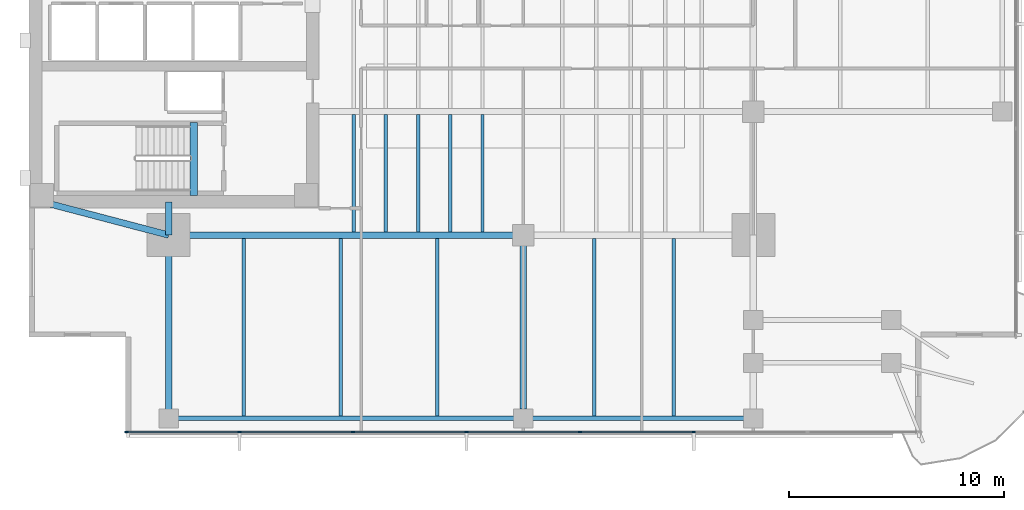
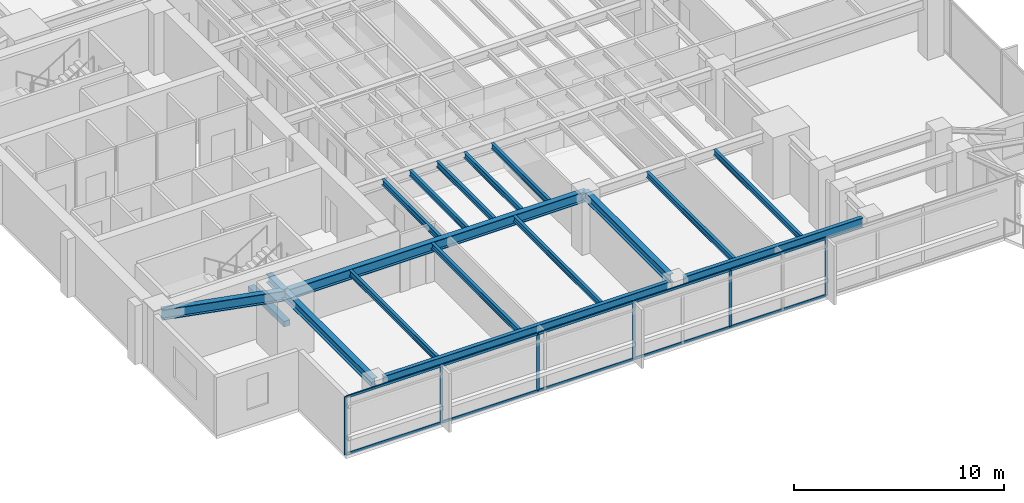
# One storey, part 2 of 15: 18 beams, 16 members, 1 element without a shape of its own.
"""IFC4 building model written with IfcOpenShell, lengths in metres."""

from ifc_helpers import new_model, si_unit, direction, frame, origin, origin_2d, place, context, subcontext, project, spatial, rectangle, i_section, extrude, material, layer, layer_set, material_profile, profile_set, type_object, element, aggregate, save


model = new_model("IFC4")

# Units and contexts
model_context = context("Model", 3, precision=1e-05, world=origin(), true_north=direction((0.0, 1.0)))
body_context = subcontext(model_context, "Body", "Model", "MODEL_VIEW")
ifc_project = project(units=[si_unit("LENGTHUNIT", "METRE"), si_unit("AREAUNIT", "SQUARE_METRE"), si_unit("VOLUMEUNIT", "CUBIC_METRE"), si_unit("PLANEANGLEUNIT", "RADIAN"), si_unit("MASSUNIT", "GRAM", prefix="KILO")], contexts=[model_context])

# Site, building, storey
site_placement = place(None, origin())
site = spatial("IfcSite", under=ifc_project, at=site_placement, CompositionType="ELEMENT")
building_placement = place(site_placement, origin())
building = spatial("IfcBuilding", under=site, at=building_placement, Name="Kinhvarn Gate Tower", CompositionType="ELEMENT")
storey_placement = place(building_placement, frame((0.0, 0.0, 109.35009765625)))
storey = spatial("IfcBuildingStorey", under=building, at=storey_placement, Name="L28", CompositionType="ELEMENT", Elevation=109.35009765625)

# Beam
ifc_material_1 = material(Name="Concrete C50/60", Category="concrete")
ifc_material_profile_1 = material_profile(ifc_material_1, rectangle(XDim=0.340087890625, YDim=0.320068359375, at=origin_2d()), Name="RC 340x320")
ifc_profile_set_1 = profile_set([ifc_material_profile_1], Name="Concrete C50/60")
beam_type_1 = type_object("IfcBeamType", Name="BM-LND-500", PredefinedType="BEAM", material=ifc_profile_set_1)
beam_1_placement = place(storey_placement, frame((12.1650390625, 14.60009765625, -0.16015625), z_axis=(0.0, 1.0, 0.0), x_axis=(-1.0, 0.0, 0.0)))
element("IfcBeam", 1, at=beam_1_placement, inside=storey, type_object=beam_type_1, Name="Stair ST1 Landing Nosing Beam (L28)", PredefinedType="BEAM", context=body_context, shape_type="SweptSolid", body=[
    extrude(rectangle(XDim=0.340087890625, YDim=0.320068359375, at=origin_2d()), origin(), (0.0, 0.0, 1.0), 3.39990234375),
])

# Curtain wall, members
ifc_material_2 = material(Name="Anodised aluminium AW-6063", Category="aluminium")
ifc_layer = layer(ifc_material_2, 0.179931640625)
ifc_layer_set = layer_set([ifc_layer], Name="Anodised aluminium AW-6063")
curtain_wall_type = type_object("IfcCurtainWallType", Name="CW-SYS-3", PredefinedType="NOTDEFINED", material=ifc_layer_set)
curtain_wall_placement = place(storey_placement, origin())
curtain_wall = element("IfcCurtainWall", 2, at=curtain_wall_placement, inside=storey, type_object=curtain_wall_type, Name="Curtain Wall CW3 (L28)", PredefinedType="NOTDEFINED")
ifc_material_profile_2 = material_profile(ifc_material_2, rectangle(XDim=0.06494140625, YDim=0.159912109375, at=origin_2d()), Name="ALU 65x160")
ifc_profile_set_2 = profile_set([ifc_material_profile_2], Name="Anodised aluminium AW-6063")
member_type_1 = type_object("IfcMemberType", Name="CW-MUL-160", PredefinedType="MULLION", material=ifc_profile_set_2)
member_1_placement = place(storey_placement, frame((9.032470703125, 3.590087890625, 0.0), z_axis=(0.0, 0.0, 1.0), x_axis=(0.0, 1.0, 0.0)))
member_1 = element("IfcMember", 3, at=member_1_placement, type_object=member_type_1, Name="CW3 mullion 1", PredefinedType="MULLION", context=body_context, shape_type="SweptSolid", body=[
    extrude(rectangle(XDim=0.06494140625, YDim=0.159912109375, at=origin_2d()), origin(), (0.0, 0.0, 1.0), 3.369873046875),
])
member_2_placement = place(storey_placement, frame((14.28564453125, 3.590087890625, 0.0), z_axis=(0.0, 0.0, 1.0), x_axis=(0.0, 1.0, 0.0)))
member_2 = element("IfcMember", 4, at=member_2_placement, type_object=member_type_1, Name="CW3 mullion 2", PredefinedType="MULLION", context=body_context, shape_type="SweptSolid", body=[
    extrude(rectangle(XDim=0.06494140625, YDim=0.159912109375, at=origin_2d()), origin(), (0.0, 0.0, 1.0), 3.369873046875),
])
member_3_placement = place(storey_placement, frame((19.571533203125, 3.590087890625, 0.0), z_axis=(0.0, 0.0, 1.0), x_axis=(0.0, 1.0, 0.0)))
member_3 = element("IfcMember", 5, at=member_3_placement, type_object=member_type_1, Name="CW3 mullion 3", PredefinedType="MULLION", context=body_context, shape_type="SweptSolid", body=[
    extrude(rectangle(XDim=0.06494140625, YDim=0.159912109375, at=origin_2d()), origin(), (0.0, 0.0, 1.0), 3.369873046875),
])
member_4_placement = place(storey_placement, frame((24.857177734375, 3.590087890625, 0.0), z_axis=(0.0, 0.0, 1.0), x_axis=(0.0, 1.0, 0.0)))
member_4 = element("IfcMember", 6, at=member_4_placement, type_object=member_type_1, Name="CW3 mullion 4", PredefinedType="MULLION", context=body_context, shape_type="SweptSolid", body=[
    extrude(rectangle(XDim=0.06494140625, YDim=0.159912109375, at=origin_2d()), origin(), (0.0, 0.0, 1.0), 3.369873046875),
])
member_5_placement = place(storey_placement, frame((30.142822265625, 3.590087890625, 0.0), z_axis=(0.0, 0.0, 1.0), x_axis=(0.0, 1.0, 0.0)))
member_5 = element("IfcMember", 7, at=member_5_placement, type_object=member_type_1, Name="CW3 mullion 5", PredefinedType="MULLION", context=body_context, shape_type="SweptSolid", body=[
    extrude(rectangle(XDim=0.06494140625, YDim=0.159912109375, at=origin_2d()), origin(), (0.0, 0.0, 1.0), 3.369873046875),
])
member_6_placement = place(storey_placement, frame((35.428466796875, 3.590087890625, 0.0), z_axis=(0.0, 0.0, 1.0), x_axis=(0.0, 1.0, 0.0)))
member_6 = element("IfcMember", 8, at=member_6_placement, type_object=member_type_1, Name="CW3 mullion 6", PredefinedType="MULLION", context=body_context, shape_type="SweptSolid", body=[
    extrude(rectangle(XDim=0.06494140625, YDim=0.159912109375, at=origin_2d()), origin(), (0.0, 0.0, 1.0), 3.369873046875),
])
ifc_material_profile_3 = material_profile(ifc_material_2, rectangle(XDim=0.070068359375, YDim=0.139892578125, at=origin_2d()), Name="ALU 70x140")
ifc_profile_set_3 = profile_set([ifc_material_profile_3], Name="Anodised aluminium AW-6063")
member_type_2 = type_object("IfcMemberType", Name="CW-TRN-140", PredefinedType="USERDEFINED", material=ifc_profile_set_3)
member_7_placement = place(storey_placement, frame((9.06494140625, 3.590087890625, 0.034912109375), z_axis=(1.0, 0.0, 0.0), x_axis=(0.0, 1.0, 0.0)))
member_7 = element("IfcMember", 9, at=member_7_placement, type_object=member_type_2, Name="CW3 transom 1.1", ObjectType="TRANSOM", PredefinedType="USERDEFINED", context=body_context, shape_type="SweptSolid", body=[
    extrude(rectangle(XDim=0.070068359375, YDim=0.139892578125, at=origin_2d()), origin(), (0.0, 0.0, 1.0), 5.188232421875),
])
member_8_placement = place(storey_placement, frame((9.06494140625, 3.590087890625, 3.3349609375), z_axis=(1.0, 0.0, 0.0), x_axis=(0.0, 1.0, 0.0)))
member_8 = element("IfcMember", 10, at=member_8_placement, type_object=member_type_2, Name="CW3 transom 1.2", ObjectType="TRANSOM", PredefinedType="USERDEFINED", context=body_context, shape_type="SweptSolid", body=[
    extrude(rectangle(XDim=0.070068359375, YDim=0.139892578125, at=origin_2d()), origin(), (0.0, 0.0, 1.0), 5.188232421875),
])
member_9_placement = place(storey_placement, frame((14.318115234375, 3.590087890625, 0.034912109375), z_axis=(1.0, 0.0, 0.0), x_axis=(0.0, 1.0, 0.0)))
member_9 = element("IfcMember", 11, at=member_9_placement, type_object=member_type_2, Name="CW3 transom 2.1", ObjectType="TRANSOM", PredefinedType="USERDEFINED", context=body_context, shape_type="SweptSolid", body=[
    extrude(rectangle(XDim=0.070068359375, YDim=0.139892578125, at=origin_2d()), origin(), (0.0, 0.0, 1.0), 5.220703125),
])
member_10_placement = place(storey_placement, frame((14.318115234375, 3.590087890625, 3.3349609375), z_axis=(1.0, 0.0, 0.0), x_axis=(0.0, 1.0, 0.0)))
member_10 = element("IfcMember", 12, at=member_10_placement, type_object=member_type_2, Name="CW3 transom 2.2", ObjectType="TRANSOM", PredefinedType="USERDEFINED", context=body_context, shape_type="SweptSolid", body=[
    extrude(rectangle(XDim=0.070068359375, YDim=0.139892578125, at=origin_2d()), origin(), (0.0, 0.0, 1.0), 5.220703125),
])
member_11_placement = place(storey_placement, frame((19.60400390625, 3.590087890625, 0.034912109375), z_axis=(1.0, 0.0, 0.0), x_axis=(0.0, 1.0, 0.0)))
member_11 = element("IfcMember", 13, at=member_11_placement, type_object=member_type_2, Name="CW3 transom 3.1", ObjectType="TRANSOM", PredefinedType="USERDEFINED", context=body_context, shape_type="SweptSolid", body=[
    extrude(rectangle(XDim=0.070068359375, YDim=0.139892578125, at=origin_2d()), origin(), (0.0, 0.0, 1.0), 5.220703125),
])
member_12_placement = place(storey_placement, frame((19.60400390625, 3.590087890625, 3.3349609375), z_axis=(1.0, 0.0, 0.0), x_axis=(0.0, 1.0, 0.0)))
member_12 = element("IfcMember", 14, at=member_12_placement, type_object=member_type_2, Name="CW3 transom 3.2", ObjectType="TRANSOM", PredefinedType="USERDEFINED", context=body_context, shape_type="SweptSolid", body=[
    extrude(rectangle(XDim=0.070068359375, YDim=0.139892578125, at=origin_2d()), origin(), (0.0, 0.0, 1.0), 5.220703125),
])
member_13_placement = place(storey_placement, frame((24.8896484375, 3.590087890625, 0.034912109375), z_axis=(1.0, 0.0, 0.0), x_axis=(0.0, 1.0, 0.0)))
member_13 = element("IfcMember", 15, at=member_13_placement, type_object=member_type_2, Name="CW3 transom 4.1", ObjectType="TRANSOM", PredefinedType="USERDEFINED", context=body_context, shape_type="SweptSolid", body=[
    extrude(rectangle(XDim=0.070068359375, YDim=0.139892578125, at=origin_2d()), origin(), (0.0, 0.0, 1.0), 5.220703125),
])
member_14_placement = place(storey_placement, frame((24.8896484375, 3.590087890625, 3.3349609375), z_axis=(1.0, 0.0, 0.0), x_axis=(0.0, 1.0, 0.0)))
member_14 = element("IfcMember", 16, at=member_14_placement, type_object=member_type_2, Name="CW3 transom 4.2", ObjectType="TRANSOM", PredefinedType="USERDEFINED", context=body_context, shape_type="SweptSolid", body=[
    extrude(rectangle(XDim=0.070068359375, YDim=0.139892578125, at=origin_2d()), origin(), (0.0, 0.0, 1.0), 5.220703125),
])
member_15_placement = place(storey_placement, frame((30.17529296875, 3.590087890625, 0.034912109375), z_axis=(1.0, 0.0, 0.0), x_axis=(0.0, 1.0, 0.0)))
member_15 = element("IfcMember", 17, at=member_15_placement, type_object=member_type_2, Name="CW3 transom 5.1", ObjectType="TRANSOM", PredefinedType="USERDEFINED", context=body_context, shape_type="SweptSolid", body=[
    extrude(rectangle(XDim=0.070068359375, YDim=0.139892578125, at=origin_2d()), origin(), (0.0, 0.0, 1.0), 5.220703125),
])
member_16_placement = place(storey_placement, frame((30.17529296875, 3.590087890625, 3.3349609375), z_axis=(1.0, 0.0, 0.0), x_axis=(0.0, 1.0, 0.0)))
member_16 = element("IfcMember", 18, at=member_16_placement, type_object=member_type_2, Name="CW3 transom 5.2", ObjectType="TRANSOM", PredefinedType="USERDEFINED", context=body_context, shape_type="SweptSolid", body=[
    extrude(rectangle(XDim=0.070068359375, YDim=0.139892578125, at=origin_2d()), origin(), (0.0, 0.0, 1.0), 5.220703125),
])
aggregate(curtain_wall, [member_1, member_2, member_3, member_4, member_5, member_6, member_7, member_8, member_9, member_10, member_11, member_12, member_13, member_14, member_15, member_16])

# Beams
ifc_material_3 = material(Name="Steel S355", Category="steel")
ifc_material_profile_4 = material_profile(ifc_material_3, i_section(OverallWidth=0.300048828125, OverallDepth=0.5, WebThickness=0.014404296875, FlangeThickness=0.028076171875, at=origin_2d()), Name="HEB 500")
ifc_profile_set_4 = profile_set([ifc_material_profile_4], Name="Steel S355")
beam_type_2 = type_object("IfcBeamType", Name="STL-HEB500", PredefinedType="BEAM", material=ifc_profile_set_4)
beam_2_placement = place(storey_placement, frame((11.0, 4.219970703125, 3.119873046875), z_axis=(0.0, 1.0, 0.0), x_axis=(-1.0, 0.0, 0.0)))
element("IfcBeam", 19, at=beam_2_placement, inside=storey, type_object=beam_type_2, Name="Floor Beam PG-14 (L28 MCW-S)", PredefinedType="BEAM", context=body_context, shape_type="SweptSolid", body=[
    extrude(i_section(OverallWidth=0.300048828125, OverallDepth=0.5, WebThickness=0.014404296875, FlangeThickness=0.028076171875, at=origin_2d()), origin(), (0.0, 0.0, 1.0), 8.530029296875),
])
beam_3_placement = place(storey_placement, frame((11.0, 12.75, 3.119873046875), z_axis=(0.0, 1.0, 0.0), x_axis=(-1.0, 0.0, 0.0)))
element("IfcBeam", 20, at=beam_3_placement, inside=storey, type_object=beam_type_2, Name="Floor Beam PG-14 (L28 MCW-CS)", PredefinedType="BEAM", context=body_context, shape_type="SweptSolid", body=[
    extrude(i_section(OverallWidth=0.300048828125, OverallDepth=0.5, WebThickness=0.014404296875, FlangeThickness=0.028076171875, at=origin_2d()), origin(), (0.0, 0.0, 1.0), 1.550048828125),
])
beam_4_placement = place(storey_placement, frame((27.5, 4.655029296875, 3.119873046875), z_axis=(0.0, 1.0, 0.0), x_axis=(-1.0, 0.0, 0.0)))
element("IfcBeam", 21, at=beam_4_placement, inside=storey, type_object=beam_type_2, Name="Floor Beam PG-14 (L28 SP27-S-TIE)", PredefinedType="BEAM", context=body_context, shape_type="SweptSolid", body=[
    extrude(i_section(OverallWidth=0.300048828125, OverallDepth=0.5, WebThickness=0.014404296875, FlangeThickness=0.028076171875, at=origin_2d()), origin(), (0.0, 0.0, 1.0), 8.094970703125),
])
ifc_material_profile_5 = material_profile(ifc_material_3, i_section(OverallWidth=0.300048828125, OverallDepth=0.60009765625, WebThickness=0.015380859375, FlangeThickness=0.030029296875, at=origin_2d()), Name="HEB 600")
ifc_profile_set_5 = profile_set([ifc_material_profile_5], Name="Steel S355")
beam_type_3 = type_object("IfcBeamType", Name="STL-HEB600", PredefinedType="BEAM", material=ifc_profile_set_5)
beam_5_placement = place(storey_placement, frame((11.0, 12.75, 3.06982421875), z_axis=(1.0, 0.0, 0.0), x_axis=(0.0, 1.0, 0.0)))
element("IfcBeam", 22, at=beam_5_placement, inside=storey, type_object=beam_type_3, Name="Floor Beam PG-16 (L28 MG-S1)", PredefinedType="BEAM", context=body_context, shape_type="SweptSolid", body=[
    extrude(i_section(OverallWidth=0.300048828125, OverallDepth=0.60009765625, WebThickness=0.015380859375, FlangeThickness=0.030029296875, at=origin_2d()), origin(), (0.0, 0.0, 1.0), 16.5),
])
beam_6_placement = place(storey_placement, frame((5.10009765625, 14.300048828125, 3.06982421875), z_axis=(0.967177623957, -0.254101246979, 0.0), x_axis=(0.254101246979, 0.967177623957, 0.0)))
element("IfcBeam", 23, at=beam_6_placement, inside=storey, type_object=beam_type_3, Name="Floor Beam PG-16 (L28 MG-SW-DIAG)", PredefinedType="BEAM", context=body_context, shape_type="SweptSolid", body=[
    extrude(i_section(OverallWidth=0.300048828125, OverallDepth=0.60009765625, WebThickness=0.015380859375, FlangeThickness=0.030029296875, at=origin_2d()), origin(), (0.0, 0.0, 1.0), 6.10009765625),
])
ifc_material_profile_6 = material_profile(ifc_material_3, i_section(OverallWidth=0.159912109375, OverallDepth=0.330078125, WebThickness=0.007568359375, FlangeThickness=0.011474609375, at=origin_2d()), Name="IPE 330")
ifc_profile_set_6 = profile_set([ifc_material_profile_6], Name="Steel S355")
beam_type_4 = type_object("IfcBeamType", Name="STL-IPE330", PredefinedType="JOIST", material=ifc_profile_set_6)
for number, where, z_axis, x_axis, name in (
    (24, (19.60009765625, 12.89990234375, 3.204833984375), (0.0, 1.0, 0.0), (-1.0, 0.0, 0.0), "Floor Joist SB-03 (L28 JC-X196-0)"),
    (25, (21.10009765625, 12.89990234375, 3.204833984375), (0.0, 1.0, 0.0), (-1.0, 0.0, 0.0), "Floor Joist SB-03 (L28 JC-X211-0)"),
    (26, (22.60009765625, 12.89990234375, 3.204833984375), (0.0, 1.0, 0.0), (-1.0, 0.0, 0.0), "Floor Joist SB-03 (L28 JC-X226-0)"),
    (27, (24.10009765625, 12.89990234375, 3.204833984375), (0.0, 1.0, 0.0), (-1.0, 0.0, 0.0), "Floor Joist SB-03 (L28 JC-X241-0)"),
    (28, (25.60009765625, 12.89990234375, 3.204833984375), (0.0, 1.0, 0.0), (-1.0, 0.0, 0.0), "Floor Joist SB-03 (L28 JC-X256-0)"),
):
    element("IfcBeam", number, at=place(storey_placement, frame(where, z_axis=z_axis, x_axis=x_axis)), inside=storey, type_object=beam_type_4, Name=name, PredefinedType="JOIST", context=body_context, shape_type="SweptSolid", body=[
        extrude(i_section(OverallWidth=0.159912109375, OverallDepth=0.330078125, WebThickness=0.007568359375, FlangeThickness=0.011474609375, at=origin_2d()), origin(), (0.0, 0.0, 1.0), 5.4501953125),
    ])
for number, where, z_axis, x_axis, name in (
    (29, (14.5, 4.324951171875, 3.204833984375), (0.0, 1.0, 0.0), (-1.0, 0.0, 0.0), "Floor Joist SB-03 (L28 JS-X145)"),
    (30, (19.0, 4.324951171875, 3.204833984375), (0.0, 1.0, 0.0), (-1.0, 0.0, 0.0), "Floor Joist SB-03 (L28 JS-X190)"),
    (31, (23.5, 4.324951171875, 3.204833984375), (0.0, 1.0, 0.0), (-1.0, 0.0, 0.0), "Floor Joist SB-03 (L28 JS-X235)"),
    (32, (30.800048828125, 4.324951171875, 3.204833984375), (0.0, 1.0, 0.0), (-1.0, 0.0, 0.0), "Floor Joist SB-03 (L28 JS-X308)"),
    (33, (34.5, 4.324951171875, 3.204833984375), (0.0, 1.0, 0.0), (-1.0, 0.0, 0.0), "Floor Joist SB-03 (L28 JS-X345)"),
):
    element("IfcBeam", number, at=place(storey_placement, frame(where, z_axis=z_axis, x_axis=x_axis)), inside=storey, type_object=beam_type_4, Name=name, PredefinedType="JOIST", context=body_context, shape_type="SweptSolid", body=[
        extrude(i_section(OverallWidth=0.159912109375, OverallDepth=0.330078125, WebThickness=0.007568359375, FlangeThickness=0.011474609375, at=origin_2d()), origin(), (0.0, 0.0, 1.0), 8.275146484375),
    ])
ifc_material_profile_7 = material_profile(ifc_material_3, i_section(OverallWidth=0.2099609375, OverallDepth=0.550048828125, WebThickness=0.010986328125, FlangeThickness=0.01708984375, at=origin_2d()), Name="IPE 550")
ifc_profile_set_7 = profile_set([ifc_material_profile_7], Name="Steel S355")
beam_type_5 = type_object("IfcBeamType", Name="STL-IPE550", PredefinedType="SPANDREL", material=ifc_profile_set_7)
beam_7_placement = place(storey_placement, frame((11.43505859375, 4.219970703125, 3.094970703125), z_axis=(1.0, 0.0, 0.0), x_axis=(0.0, 1.0, 0.0)))
element("IfcBeam", 34, at=beam_7_placement, inside=storey, type_object=beam_type_5, Name="Floor Spandrel SB-08 (L28 SP-S1)", PredefinedType="SPANDREL", context=body_context, shape_type="SweptSolid", body=[
    extrude(i_section(OverallWidth=0.2099609375, OverallDepth=0.550048828125, WebThickness=0.010986328125, FlangeThickness=0.01708984375, at=origin_2d()), origin(), (0.0, 0.0, 1.0), 15.6298828125),
])
beam_8_placement = place(storey_placement, frame((27.93505859375, 4.219970703125, 3.094970703125), z_axis=(1.0, 0.0, 0.0), x_axis=(0.0, 1.0, 0.0)))
element("IfcBeam", 35, at=beam_8_placement, inside=storey, type_object=beam_type_5, Name="Floor Spandrel SB-08 (L28 SP-S2)", PredefinedType="SPANDREL", context=body_context, shape_type="SweptSolid", body=[
    extrude(i_section(OverallWidth=0.2099609375, OverallDepth=0.550048828125, WebThickness=0.010986328125, FlangeThickness=0.01708984375, at=origin_2d()), origin(), (0.0, 0.0, 1.0), 9.829833984375),
])

save(model, "model.ifc")
